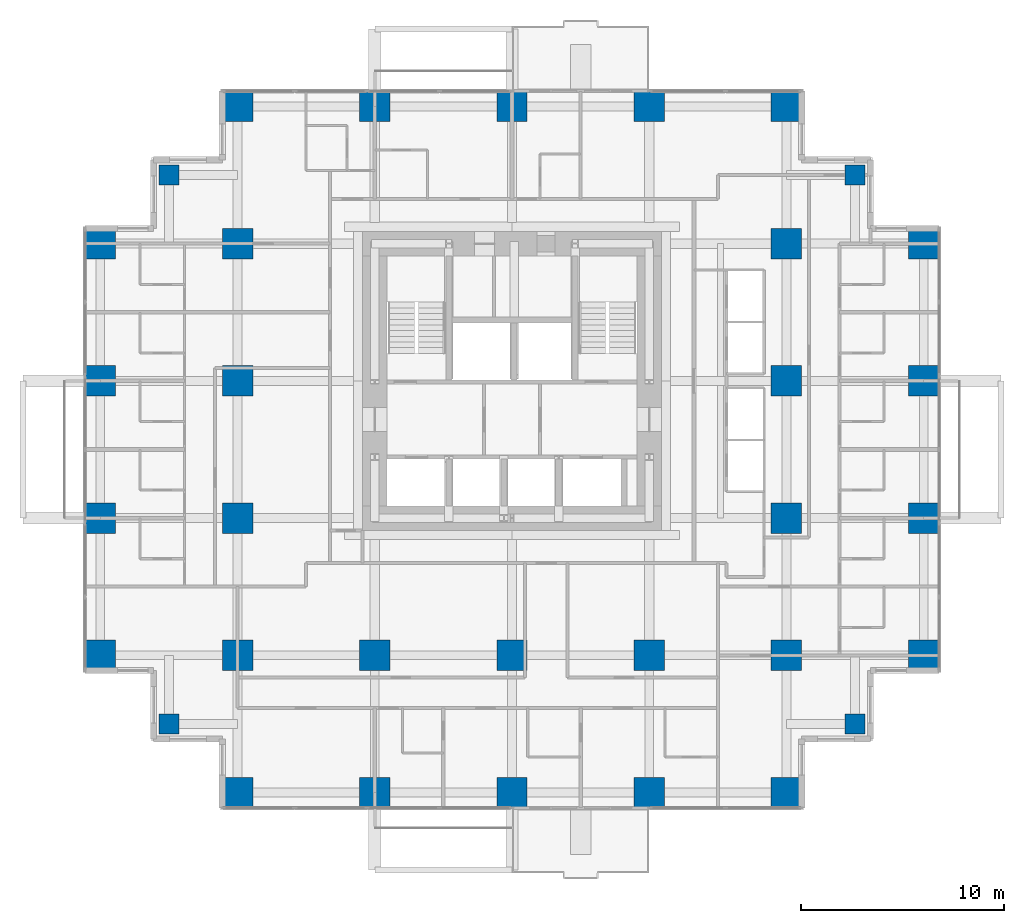
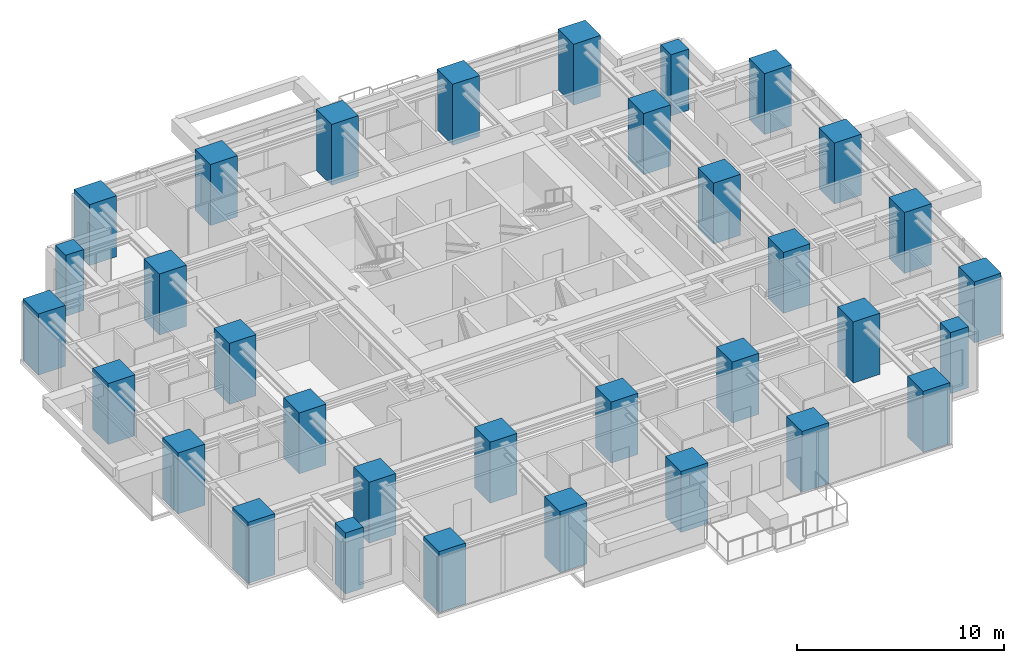
# One storey, part 1 of 12: 33 columns.
"""IFC4 building model written with IfcOpenShell, lengths in metres."""

import ifcopenshell
import ifcopenshell.guid

model = None  # the IFC model being written
_history = None  # IfcOwnerHistory: only IFC2X3 demands one
_inside = {}  # id of a spatial element -> (the spatial element, [elements in it])
_under = {}  # id of a project, library or spatial element -> (it, [spatial elements below it])
_declared = {}  # id of a project -> (the project, [libraries it declares])
_typed = {}  # id of a type object -> (the type object, [elements of that type])
_made_of = {}  # id of a material, layer set ... -> (it, [elements and type objects made of it])


def new_model(schema):
    """Start an empty IFC model of exactly this schema.

    Asked for "IFC4X3", IfcOpenShell would pick the latest addendum, in which some entities
    have other attributes; the version numbers below select the first issue.
    IFC2X3 requires an IfcOwnerHistory on every rooted entity: one is made here for all.
    """
    global model, _history
    if schema == "IFC4X3":
        model = ifcopenshell.file(schema_version=(4, 3, 0, 0))
    else:
        model = ifcopenshell.file(schema=schema)
    _inside.clear()
    _under.clear()
    _declared.clear()
    _typed.clear()
    _made_of.clear()
    _history = None
    if model.schema == "IFC2X3":
        org = make("IfcOrganization", Name="unknown")
        user = make(
            "IfcPersonAndOrganization",
            ThePerson=make("IfcPerson", FamilyName="unknown"),
            TheOrganization=org,
        )
        app = make(
            "IfcApplication",
            ApplicationDeveloper=org,
            Version="unknown",
            ApplicationFullName="unknown",
            ApplicationIdentifier="unknown",
        )
        _history = make(
            "IfcOwnerHistory",
            OwningUser=user,
            OwningApplication=app,
            ChangeAction="ADDED",
            CreationDate=0,
        )
    return model


def make(cls, **values):
    """One entity of the class cls with the attributes given. An attribute that is None is left unset."""
    return model.create_entity(
        cls, **{name: value for name, value in values.items() if value is not None}
    )


def rooted(cls, **values):
    """An entity with a GlobalId (a new one), such as an element, a storey or a relation."""
    return make(cls, GlobalId=ifcopenshell.guid.new(), OwnerHistory=_history, **values)


def si_unit(unit_type, name, prefix=None):
    """IfcSIUnit, for example si_unit("LENGTHUNIT", "METRE", prefix="MILLI")."""
    return make("IfcSIUnit", UnitType=unit_type, Prefix=prefix, Name=name)


def assignment(units):
    """IfcUnitAssignment: the units of a project."""
    return None if units is None else make("IfcUnitAssignment", Units=units)


def point(xyz):
    """IfcCartesianPoint."""
    return None if xyz is None else make("IfcCartesianPoint", Coordinates=xyz)


def direction(xyz):
    """IfcDirection."""
    return None if xyz is None else make("IfcDirection", DirectionRatios=xyz)


def frame(location, z_axis=None, x_axis=None):
    """IfcAxis2Placement3D, a coordinate frame: its origin and axes. An axis left out is left unset."""
    return make(
        "IfcAxis2Placement3D",
        Location=point(location),
        Axis=direction(z_axis),
        RefDirection=direction(x_axis),
    )


def frame_2d(location, x_axis=None):
    """IfcAxis2Placement2D, a coordinate frame in the plane: its origin and x axis."""
    return make(
        "IfcAxis2Placement2D", Location=point(location), RefDirection=direction(x_axis)
    )


def origin():
    """The frame at (0, 0, 0) with its axes left unset."""
    return frame((0.0, 0.0, 0.0))


def origin_2d():
    """The frame at (0, 0) in the plane with its x axis left unset."""
    return frame_2d((0.0, 0.0))


def place(relative_to, where):
    """IfcLocalPlacement: puts the frame where relative to a parent placement (None: the world)."""
    return make(
        "IfcLocalPlacement", PlacementRelTo=relative_to, RelativePlacement=where
    )


def context(
    kind, dimensions, precision=None, world=None, true_north=None, identifier=None
):
    """IfcGeometricRepresentationContext, for example the 3D "Model" context."""
    return make(
        "IfcGeometricRepresentationContext",
        ContextIdentifier=identifier,
        ContextType=kind,
        CoordinateSpaceDimension=dimensions,
        Precision=precision,
        WorldCoordinateSystem=world,
        TrueNorth=true_north,
    )


def subcontext(parent, identifier, kind, view, scale=None):
    """IfcGeometricRepresentationSubContext, for example "Body" below "Model"."""
    return make(
        "IfcGeometricRepresentationSubContext",
        ContextIdentifier=identifier,
        ContextType=kind,
        ParentContext=parent,
        TargetScale=scale,
        TargetView=view,
    )


def project(units=None, contexts=None):
    """IfcProject with its units and contexts."""
    return rooted(
        "IfcProject",
        Name="project",
        RepresentationContexts=contexts,
        UnitsInContext=assignment(units),
    )


def spatial(cls, under=None, at=None, **own):
    """A site, building, storey or space (cls), placed at a placement, below another one or the project."""
    s = rooted(cls, ObjectPlacement=at, **own)
    if under is not None:
        _under.setdefault(under.id(), (under, []))[1].append(s)
    return s


def profile(cls, at=None, kind="AREA", **sizes):
    """A parametric profile (cls). Its sizes go by their IFC names, for example OverallWidth=200.0."""
    return make(cls, ProfileType=kind, Position=at, **sizes)


def rectangle(**sizes):
    """IfcRectangleProfileDef."""
    return profile("IfcRectangleProfileDef", **sizes)


def extrude(swept, where, along, depth):
    """IfcExtrudedAreaSolid: the profile swept, set in the frame where, extruded along a direction by depth."""
    return make(
        "IfcExtrudedAreaSolid",
        SweptArea=swept,
        Position=where,
        ExtrudedDirection=direction(along),
        Depth=depth,
    )


def shape(context_of_items, identifier, shape_type, items):
    """IfcShapeRepresentation: the items that make up one representation, for example the "Body"."""
    return make(
        "IfcShapeRepresentation",
        ContextOfItems=context_of_items,
        RepresentationIdentifier=identifier,
        RepresentationType=shape_type,
        Items=items,
    )


def material(Name=None, Category=None):
    """IfcMaterial."""
    return make("IfcMaterial", Name=Name, Category=Category)


def material_profile(
    of_material, cross_section, Name=None, Category=None, Priority=None
):
    """IfcMaterialProfile: a cross section and its material."""
    return make(
        "IfcMaterialProfile",
        Name=Name,
        Material=of_material,
        Profile=cross_section,
        Priority=Priority,
        Category=Category,
    )


def profile_set(profiles, Name=None, composite=None):
    """IfcMaterialProfileSet."""
    return make(
        "IfcMaterialProfileSet",
        Name=Name,
        MaterialProfiles=profiles,
        CompositeProfile=composite,
    )


def made_of(thing, what):
    """Note that an element or type object is made of a material, layer set ...; save() writes the relation."""
    if what is not None:
        _made_of.setdefault(what.id(), (what, []))[1].append(thing)
    return thing


def type_object(cls, material=None, **own):
    """A type object (cls), such as IfcWallType, which elements share."""
    return made_of(rooted(cls, **own), material)


def element(
    cls,
    number,
    at=None,
    inside=None,
    cuts=None,
    type_object=None,
    material=None,
    context=None,
    identifier="Body",
    shape_type=None,
    held_by="IfcProductDefinitionShape",
    body=None,
    shapes=None,
    **own,
):
    """One element of the class cls, such as IfcWall. Its Tag is "e" and its number.

    at: its placement. inside: the storey or other place that contains it. cuts: it is an
    opening in that element (IfcRelVoidsElement). A single representation is given by context,
    identifier, shape_type and body (its items); several are given by shapes. held_by: the class
    of the entity that holds the representations. save() writes the other relations.
    """
    e = rooted(cls, Tag="e%d" % number, ObjectPlacement=at, **own)
    if body is not None:
        shapes = [shape(context, identifier, shape_type, body)]
    if shapes is not None:
        e.Representation = make(held_by, Representations=shapes)
    if inside is not None:
        _inside.setdefault(inside.id(), (inside, []))[1].append(e)
    if cuts is not None:
        rooted(
            "IfcRelVoidsElement", RelatingBuildingElement=cuts, RelatedOpeningElement=e
        )
    if type_object is not None:
        _typed.setdefault(type_object.id(), (type_object, []))[1].append(e)
    return made_of(e, material)


def aggregate(whole, parts):
    """IfcRelAggregates: a whole, such as a stair, and the parts it consists of."""
    return rooted("IfcRelAggregates", RelatingObject=whole, RelatedObjects=parts)


def save(model, path):
    """Write the relations noted so far, then the file.

    IfcRelAggregates (storeys below a building ...), IfcRelContainedInSpatialStructure (elements
    in a storey), IfcRelDefinesByType, IfcRelAssociatesMaterial and IfcRelDeclares: one each for
    every whole, place, type object, material and project.
    """
    for whole, parts in _under.values():
        aggregate(whole, parts)
    for where, things in _inside.values():
        rooted(
            "IfcRelContainedInSpatialStructure",
            RelatedElements=things,
            RelatingStructure=where,
        )
    for kind, things in _typed.values():
        rooted("IfcRelDefinesByType", RelatedObjects=things, RelatingType=kind)
    for what, things in _made_of.values():
        rooted("IfcRelAssociatesMaterial", RelatedObjects=things, RelatingMaterial=what)
    for by, libraries in _declared.values():
        rooted("IfcRelDeclares", RelatingContext=by, RelatedDefinitions=libraries)
    model.write(path)


model = new_model("IFC4")

# Units and contexts
model_context = context("Model", 3, precision=1e-05, world=origin(), true_north=direction((0.0, 1.0)))
body_context = subcontext(model_context, "Body", "Model", "MODEL_VIEW")
ifc_project = project(units=[si_unit("LENGTHUNIT", "METRE"), si_unit("AREAUNIT", "SQUARE_METRE"), si_unit("VOLUMEUNIT", "CUBIC_METRE"), si_unit("PLANEANGLEUNIT", "RADIAN"), si_unit("MASSUNIT", "GRAM", prefix="KILO")], contexts=[model_context])

# Site, building, storey
site_placement = place(None, origin())
site = spatial("IfcSite", under=ifc_project, at=site_placement, CompositionType="ELEMENT")
building_placement = place(site_placement, origin())
building = spatial("IfcBuilding", under=site, at=building_placement, Name="Nyansa Garden Tower", CompositionType="ELEMENT")
storey_placement = place(building_placement, frame((0.0, 0.0, 126.89990234375)))
storey = spatial("IfcBuildingStorey", under=building, at=storey_placement, Name="L34", CompositionType="ELEMENT", Elevation=126.89990234375)

# Columns
ifc_material_1 = material(Name="Concrete C70/85", Category="concrete")
ifc_material_profile_1 = material_profile(ifc_material_1, rectangle(XDim=1.0, YDim=1.0, at=origin_2d()), Name="RC 1000x1000")
ifc_profile_set_1 = profile_set([ifc_material_profile_1], Name="Concrete C70/85")
column_type_1 = type_object("IfcColumnType", Name="Column C100 RC 1000x1000", PredefinedType="COLUMN", material=ifc_profile_set_1)
for number, where, z_axis, x_axis, name in (
    (1, (3.375, 3.375, 0.0), (0.0, 0.0, 1.0), (1.0, 0.0, 0.0), "Column x3.375/y3.375 L34"),
    (2, (3.375, 30.375, 0.0), (0.0, 0.0, 1.0), (1.0, 0.0, 0.0), "Column x3.375/y30.375 L34"),
    (3, (37.125, 3.375, 0.0), (0.0, 0.0, 1.0), (1.0, 0.0, 0.0), "Column x37.125/y3.375 L34"),
    (4, (37.125, 30.375, 0.0), (0.0, 0.0, 1.0), (1.0, 0.0, 0.0), "Column x37.125/y30.375 L34"),
):
    element("IfcColumn", number, at=place(storey_placement, frame(where, z_axis=z_axis, x_axis=x_axis)), inside=storey, type_object=column_type_1, Name=name, PredefinedType="COLUMN", context=body_context, shape_type="SweptSolid", body=[
        extrude(rectangle(XDim=1.0, YDim=1.0, at=origin_2d()), origin(), (0.0, 0.0, 1.0), 3.60009765625),
    ])
ifc_material_2 = material(Name="Concrete C80/95", Category="concrete")
ifc_material_profile_2 = material_profile(ifc_material_2, rectangle(XDim=1.5, YDim=1.5, at=origin_2d()), Name="RC 1500x1500")
ifc_profile_set_2 = profile_set([ifc_material_profile_2], Name="Concrete C80/95")
column_type_2 = type_object("IfcColumnType", Name="Column C150 RC 1500x1500", PredefinedType="COLUMN", material=ifc_profile_set_2)
for number, where, z_axis, x_axis, name in (
    (5, (0.0, 6.75, 0.0), (0.0, 0.0, 1.0), (1.0, 0.0, 0.0), "Column 2/E L34"),
    (6, (0.0, 13.5, 0.0), (0.0, 0.0, 1.0), (1.0, 0.0, 0.0), "Column 2/F L34"),
    (7, (0.0, 20.25, 0.0), (0.0, 0.0, 1.0), (1.0, 0.0, 0.0), "Column 2/G L34"),
    (8, (0.0, 27.0, 0.0), (0.0, 0.0, 1.0), (1.0, 0.0, 0.0), "Column 2/H L34"),
    (9, (6.75, 0.0, 0.0), (0.0, 0.0, 1.0), (1.0, 0.0, 0.0), "Column 3/D L34"),
    (10, (6.75, 6.75, 0.0), (0.0, 0.0, 1.0), (1.0, 0.0, 0.0), "Column 3/E L34"),
    (11, (6.75, 13.5, 0.0), (0.0, 0.0, 1.0), (1.0, 0.0, 0.0), "Column 3/F L34"),
    (12, (6.75, 20.25, 0.0), (0.0, 0.0, 1.0), (1.0, 0.0, 0.0), "Column 3/G L34"),
    (13, (6.75, 27.0, 0.0), (0.0, 0.0, 1.0), (1.0, 0.0, 0.0), "Column 3/H L34"),
    (14, (6.75, 33.75, 0.0), (0.0, 0.0, 1.0), (1.0, 0.0, 0.0), "Column 3/J L34"),
    (15, (13.5, 0.0, 0.0), (0.0, 0.0, 1.0), (1.0, 0.0, 0.0), "Column 4/D L34"),
    (16, (13.5, 6.75, 0.0), (0.0, 0.0, 1.0), (1.0, 0.0, 0.0), "Column 4/E L34"),
    (17, (13.5, 33.75, 0.0), (0.0, 0.0, 1.0), (1.0, 0.0, 0.0), "Column 4/J L34"),
    (18, (20.25, 0.0, 0.0), (0.0, 0.0, 1.0), (1.0, 0.0, 0.0), "Column 5/D L34"),
    (19, (20.25, 6.75, 0.0), (0.0, 0.0, 1.0), (1.0, 0.0, 0.0), "Column 5/E L34"),
    (20, (20.25, 33.75, 0.0), (0.0, 0.0, 1.0), (1.0, 0.0, 0.0), "Column 5/J L34"),
    (21, (27.0, 0.0, 0.0), (0.0, 0.0, 1.0), (1.0, 0.0, 0.0), "Column 6/D L34"),
    (22, (27.0, 6.75, 0.0), (0.0, 0.0, 1.0), (1.0, 0.0, 0.0), "Column 6/E L34"),
    (23, (27.0, 33.75, 0.0), (0.0, 0.0, 1.0), (1.0, 0.0, 0.0), "Column 6/J L34"),
    (24, (33.75, 0.0, 0.0), (0.0, 0.0, 1.0), (1.0, 0.0, 0.0), "Column 7/D L34"),
    (25, (33.75, 6.75, 0.0), (0.0, 0.0, 1.0), (1.0, 0.0, 0.0), "Column 7/E L34"),
    (26, (33.75, 13.5, 0.0), (0.0, 0.0, 1.0), (1.0, 0.0, 0.0), "Column 7/F L34"),
    (27, (33.75, 20.25, 0.0), (0.0, 0.0, 1.0), (1.0, 0.0, 0.0), "Column 7/G L34"),
    (28, (33.75, 27.0, 0.0), (0.0, 0.0, 1.0), (1.0, 0.0, 0.0), "Column 7/H L34"),
    (29, (33.75, 33.75, 0.0), (0.0, 0.0, 1.0), (1.0, 0.0, 0.0), "Column 7/J L34"),
    (30, (40.5, 6.75, 0.0), (0.0, 0.0, 1.0), (1.0, 0.0, 0.0), "Column 8/E L34"),
    (31, (40.5, 13.5, 0.0), (0.0, 0.0, 1.0), (1.0, 0.0, 0.0), "Column 8/F L34"),
    (32, (40.5, 20.25, 0.0), (0.0, 0.0, 1.0), (1.0, 0.0, 0.0), "Column 8/G L34"),
    (33, (40.5, 27.0, 0.0), (0.0, 0.0, 1.0), (1.0, 0.0, 0.0), "Column 8/H L34"),
):
    element("IfcColumn", number, at=place(storey_placement, frame(where, z_axis=z_axis, x_axis=x_axis)), inside=storey, type_object=column_type_2, Name=name, PredefinedType="COLUMN", context=body_context, shape_type="SweptSolid", body=[
        extrude(rectangle(XDim=1.5, YDim=1.5, at=origin_2d()), origin(), (0.0, 0.0, 1.0), 3.60009765625),
    ])

save(model, "model.ifc")
